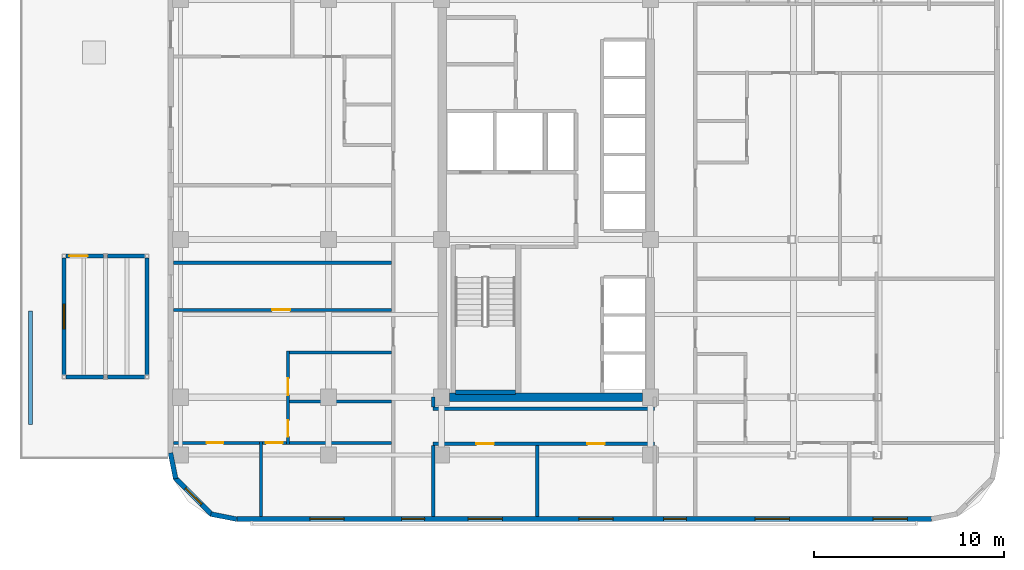
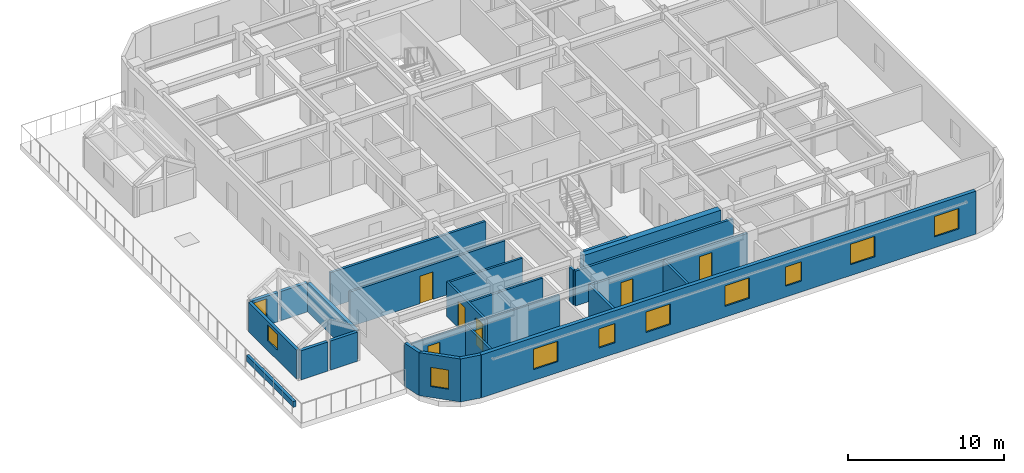
# One storey, part 10 of 19: 25 walls, 9 windows, 8 doors, 17 openings.
"""IFC4 building model written with IfcOpenShell, lengths in metres."""

from ifc_helpers import new_model, si_unit, direction, frame, frame_2d, origin, place, context, subcontext, project, spatial, rectangle, extrude, material, layer, layer_set, type_object, element, fill, save


model = new_model("IFC4")

# Units and contexts
model_context = context("Model", 3, precision=1e-05, world=origin(), true_north=direction((0.0, 1.0)))
body_context = subcontext(model_context, "Body", "Model", "MODEL_VIEW")
ifc_project = project(units=[si_unit("LENGTHUNIT", "METRE"), si_unit("AREAUNIT", "SQUARE_METRE"), si_unit("VOLUMEUNIT", "CUBIC_METRE"), si_unit("PLANEANGLEUNIT", "RADIAN"), si_unit("MASSUNIT", "GRAM", prefix="KILO")], contexts=[model_context])

# Site, building, storey
site_placement = place(None, origin())
site = spatial("IfcSite", under=ifc_project, at=site_placement, CompositionType="ELEMENT")
building_placement = place(site_placement, origin())
building = spatial("IfcBuilding", under=site, at=building_placement, Name="Ochreholt Gables", CompositionType="ELEMENT")
storey_placement = place(building_placement, frame((0.0, 0.0, 76.800048828125)))
storey = spatial("IfcBuildingStorey", under=building, at=storey_placement, Name="L19", CompositionType="ELEMENT", Elevation=76.800048828125)

# Wall
ifc_material_1 = material(Name="Concrete 60 MPa", Category="concrete")
ifc_layer_1 = layer(ifc_material_1, 0.449951171875, Name="Concrete 60 MPa")
ifc_layer_set_1 = layer_set([ifc_layer_1], Name="Concrete 60 MPa")
wall_type_1 = type_object("IfcWallType", Name="WALL-CSW-450", PredefinedType="SHEAR", material=ifc_layer_set_1)
wall_1_placement = place(storey_placement, frame((24.625, 9.25, 0.0), z_axis=(0.0, 0.0, 1.0), x_axis=(1.0, 0.0, 0.0)))
element("IfcWall", 1, at=wall_1_placement, inside=storey, type_object=wall_type_1, Name="L19 Core South Shear Wall", PredefinedType="SHEAR", context=body_context, shape_type="SweptSolid", body=[
    extrude(rectangle(XDim=10.14990234375, YDim=0.449951171875, at=frame_2d((5.074951171875, 0.0))), origin(), (0.0, 0.0, 1.0), 3.35986328125),
])

# Wall, openings, windows
ifc_material_2 = material(Name="Precast concrete 40 MPa", Category="concrete")
ifc_layer_2 = layer(ifc_material_2, 0.280029296875, Name="Precast concrete 40 MPa")
ifc_layer_set_2 = layer_set([ifc_layer_2], Name="Precast concrete 40 MPa")
wall_type_2 = type_object("IfcWallType", Name="WALL-EXT-280", PredefinedType="SOLIDWALL", material=ifc_layer_set_2)
wall_2_placement = place(storey_placement, frame((13.419921875, 2.840087890625, 0.0), z_axis=(0.0, 0.0, 1.0), x_axis=(1.0, 0.0, 0.0)))
wall_2 = element("IfcWall", 2, at=wall_2_placement, inside=storey, type_object=wall_type_2, Name="L19 South Exterior Wall", PredefinedType="SOLIDWALL", context=body_context, shape_type="SweptSolid", body=[
    extrude(rectangle(XDim=36.56005859375, YDim=0.280029296875, at=frame_2d((18.280029296875, 0.0))), origin(), (0.0, 0.0, 1.0), 3.35986328125),
])
opening_1_placement = place(wall_2_placement, frame((3.844970703125, 0.0, 0.85009765625)))
opening_1 = element("IfcOpeningElement", 3, at=opening_1_placement, cuts=wall_2, Name="Opening WN-1", PredefinedType="OPENING", context=body_context, shape_type="SweptSolid", body=[
    extrude(rectangle(XDim=1.800048828125, YDim=1.60009765625, at=frame_2d((0.89990234375, 0.800048828125))), frame((0.0, 0.14990234375, 0.0), z_axis=(0.0, -1.0, 0.0), x_axis=(1.0, 0.0, 0.0)), (0.0, 0.0, 1.0), 0.300048828125),
])
opening_2_placement = place(wall_2_placement, frame((8.679931640625, 0.0, 0.85009765625)))
opening_2 = element("IfcOpeningElement", 4, at=opening_2_placement, cuts=wall_2, Name="Opening WN-3", PredefinedType="OPENING", context=body_context, shape_type="SweptSolid", body=[
    extrude(rectangle(XDim=1.199951171875, YDim=1.5, at=frame_2d((0.60009765625, 0.75))), frame((0.0, 0.14990234375, 0.0), z_axis=(0.0, -1.0, 0.0), x_axis=(1.0, 0.0, 0.0)), (0.0, 0.0, 1.0), 0.300048828125),
])
opening_3_placement = place(wall_2_placement, frame((12.17236328125, 0.0, 0.85009765625)))
opening_3 = element("IfcOpeningElement", 5, at=opening_3_placement, cuts=wall_2, Name="Opening WN-1", PredefinedType="OPENING", context=body_context, shape_type="SweptSolid", body=[
    extrude(rectangle(XDim=1.800048828125, YDim=1.60009765625, at=frame_2d((0.89990234375, 0.800048828125))), frame((0.0, 0.14990234375, 0.0), z_axis=(0.0, -1.0, 0.0), x_axis=(1.0, 0.0, 0.0)), (0.0, 0.0, 1.0), 0.300048828125),
])
opening_4_placement = place(wall_2_placement, frame((18.007568359375, 0.0, 0.85009765625)))
opening_4 = element("IfcOpeningElement", 6, at=opening_4_placement, cuts=wall_2, Name="Opening WN-1", PredefinedType="OPENING", context=body_context, shape_type="SweptSolid", body=[
    extrude(rectangle(XDim=1.800048828125, YDim=1.60009765625, at=frame_2d((0.89990234375, 0.800048828125))), frame((0.0, 0.14990234375, 0.0), z_axis=(0.0, -1.0, 0.0), x_axis=(1.0, 0.0, 0.0)), (0.0, 0.0, 1.0), 0.300048828125),
])
opening_5_placement = place(wall_2_placement, frame((22.465087890625, 0.0, 0.85009765625)))
opening_5 = element("IfcOpeningElement", 7, at=opening_5_placement, cuts=wall_2, Name="Opening WN-3", PredefinedType="OPENING", context=body_context, shape_type="SweptSolid", body=[
    extrude(rectangle(XDim=1.199951171875, YDim=1.5, at=frame_2d((0.60009765625, 0.75))), frame((0.0, 0.14990234375, 0.0), z_axis=(0.0, -1.0, 0.0), x_axis=(1.0, 0.0, 0.0)), (0.0, 0.0, 1.0), 0.300048828125),
])
opening_6_placement = place(wall_2_placement, frame((27.28564453125, 0.0, 0.85009765625)))
opening_6 = element("IfcOpeningElement", 8, at=opening_6_placement, cuts=wall_2, Name="Opening WN-1", PredefinedType="OPENING", context=body_context, shape_type="SweptSolid", body=[
    extrude(rectangle(XDim=1.800048828125, YDim=1.60009765625, at=frame_2d((0.89990234375, 0.800048828125))), frame((0.0, 0.14990234375, 0.0), z_axis=(0.0, -1.0, 0.0), x_axis=(1.0, 0.0, 0.0)), (0.0, 0.0, 1.0), 0.300048828125),
])
opening_7_placement = place(wall_2_placement, frame((33.500732421875, 0.0, 0.85009765625)))
opening_7 = element("IfcOpeningElement", 9, at=opening_7_placement, cuts=wall_2, Name="Opening WN-1", PredefinedType="OPENING", context=body_context, shape_type="SweptSolid", body=[
    extrude(rectangle(XDim=1.800048828125, YDim=1.60009765625, at=frame_2d((0.89990234375, 0.800048828125))), frame((0.0, 0.14990234375, 0.0), z_axis=(0.0, -1.0, 0.0), x_axis=(1.0, 0.0, 0.0)), (0.0, 0.0, 1.0), 0.300048828125),
])
ifc_material_3 = material(Name="Triple-Glazed Thermally Broken Aluminium Window", Category="aluminium")
window_type_1 = type_object("IfcWindowType", Name="WIN-RES-1200", PartitioningType="SINGLE_PANEL", PredefinedType="WINDOW", material=ifc_material_3)
window_1_placement = place(opening_2_placement, origin())
window_1 = element("IfcWindow", 10, at=window_1_placement, inside=storey, type_object=window_type_1, Name="L19 Window W-EXT-S-L19-2", OverallHeight=1.5, OverallWidth=1.199951171875, PartitioningType="SINGLE_PANEL", PredefinedType="WINDOW", context=body_context, shape_type="SweptSolid", body=[
    extrude(rectangle(XDim=1.199951171875, YDim=1.5, at=frame_2d((0.60009765625, 0.75))), frame((0.0, 0.030029296875, 0.0), z_axis=(0.0, -1.0, 0.0), x_axis=(1.0, 0.0, 0.0)), (0.0, 0.0, 1.0), 0.06005859375),
])
fill(opening_2, window_1)
window_2_placement = place(opening_5_placement, origin())
window_2 = element("IfcWindow", 11, at=window_2_placement, inside=storey, type_object=window_type_1, Name="L19 Window W-EXT-S-L19-5", OverallHeight=1.5, OverallWidth=1.199951171875, PartitioningType="SINGLE_PANEL", PredefinedType="WINDOW", context=body_context, shape_type="SweptSolid", body=[
    extrude(rectangle(XDim=1.199951171875, YDim=1.5, at=frame_2d((0.60009765625, 0.75))), frame((0.0, 0.030029296875, 0.0), z_axis=(0.0, -1.0, 0.0), x_axis=(1.0, 0.0, 0.0)), (0.0, 0.0, 1.0), 0.06005859375),
])
fill(opening_5, window_2)
window_type_2 = type_object("IfcWindowType", Name="WIN-RES-1800", PartitioningType="SINGLE_PANEL", PredefinedType="WINDOW", material=ifc_material_3)
window_3_placement = place(opening_1_placement, origin())
window_3 = element("IfcWindow", 12, at=window_3_placement, inside=storey, type_object=window_type_2, Name="L19 Window W-EXT-S-L19-1", OverallHeight=1.60009765625, OverallWidth=1.800048828125, PartitioningType="SINGLE_PANEL", PredefinedType="WINDOW", context=body_context, shape_type="SweptSolid", body=[
    extrude(rectangle(XDim=1.800048828125, YDim=1.60009765625, at=frame_2d((0.89990234375, 0.800048828125))), frame((0.0, 0.030029296875, 0.0), z_axis=(0.0, -1.0, 0.0), x_axis=(1.0, 0.0, 0.0)), (0.0, 0.0, 1.0), 0.06005859375),
])
fill(opening_1, window_3)
window_4_placement = place(opening_3_placement, origin())
window_4 = element("IfcWindow", 13, at=window_4_placement, inside=storey, type_object=window_type_2, Name="L19 Window W-EXT-S-L19-3", OverallHeight=1.60009765625, OverallWidth=1.800048828125, PartitioningType="SINGLE_PANEL", PredefinedType="WINDOW", context=body_context, shape_type="SweptSolid", body=[
    extrude(rectangle(XDim=1.800048828125, YDim=1.60009765625, at=frame_2d((0.89990234375, 0.800048828125))), frame((0.0, 0.030029296875, 0.0), z_axis=(0.0, -1.0, 0.0), x_axis=(1.0, 0.0, 0.0)), (0.0, 0.0, 1.0), 0.06005859375),
])
fill(opening_3, window_4)
window_5_placement = place(opening_4_placement, origin())
window_5 = element("IfcWindow", 14, at=window_5_placement, inside=storey, type_object=window_type_2, Name="L19 Window W-EXT-S-L19-4", OverallHeight=1.60009765625, OverallWidth=1.800048828125, PartitioningType="SINGLE_PANEL", PredefinedType="WINDOW", context=body_context, shape_type="SweptSolid", body=[
    extrude(rectangle(XDim=1.800048828125, YDim=1.60009765625, at=frame_2d((0.89990234375, 0.800048828125))), frame((0.0, 0.030029296875, 0.0), z_axis=(0.0, -1.0, 0.0), x_axis=(1.0, 0.0, 0.0)), (0.0, 0.0, 1.0), 0.06005859375),
])
fill(opening_4, window_5)
window_6_placement = place(opening_6_placement, origin())
window_6 = element("IfcWindow", 15, at=window_6_placement, inside=storey, type_object=window_type_2, Name="L19 Window W-EXT-S-L19-6", OverallHeight=1.60009765625, OverallWidth=1.800048828125, PartitioningType="SINGLE_PANEL", PredefinedType="WINDOW", context=body_context, shape_type="SweptSolid", body=[
    extrude(rectangle(XDim=1.800048828125, YDim=1.60009765625, at=frame_2d((0.89990234375, 0.800048828125))), frame((0.0, 0.030029296875, 0.0), z_axis=(0.0, -1.0, 0.0), x_axis=(1.0, 0.0, 0.0)), (0.0, 0.0, 1.0), 0.06005859375),
])
fill(opening_6, window_6)
window_7_placement = place(opening_7_placement, origin())
window_7 = element("IfcWindow", 16, at=window_7_placement, inside=storey, type_object=window_type_2, Name="L19 Window W-EXT-S-L19-7", OverallHeight=1.60009765625, OverallWidth=1.800048828125, PartitioningType="SINGLE_PANEL", PredefinedType="WINDOW", context=body_context, shape_type="SweptSolid", body=[
    extrude(rectangle(XDim=1.800048828125, YDim=1.60009765625, at=frame_2d((0.89990234375, 0.800048828125))), frame((0.0, 0.030029296875, 0.0), z_axis=(0.0, -1.0, 0.0), x_axis=(1.0, 0.0, 0.0)), (0.0, 0.0, 1.0), 0.06005859375),
])
fill(opening_7, window_7)

# Wall
ifc_layer_3 = layer(ifc_material_2, 0.25, Name="Precast concrete 40 MPa")
ifc_layer_set_3 = layer_set([ifc_layer_3], Name="Precast concrete 40 MPa")
wall_type_3 = type_object("IfcWallType", Name="WALL-EXT-CNR", PredefinedType="SOLIDWALL", material=ifc_layer_set_3)
wall_3_placement = place(storey_placement, frame((9.92431640625, 6.31640625, 0.0), z_axis=(0.0, 0.0, 1.0), x_axis=(0.195000137217, -0.980803214965, 0.0)))
element("IfcWall", 17, at=wall_3_placement, inside=storey, type_object=wall_type_3, Name="L19 Rounded Corner Wall SW-1", PredefinedType="SOLIDWALL", context=body_context, shape_type="SweptSolid", body=[
    extrude(rectangle(XDim=1.388427734375, YDim=0.25, at=frame_2d((0.6943359375, 0.0))), origin(), (0.0, 0.0, 1.0), 3.35986328125),
])

# Wall, opening, window
wall_4_placement = place(storey_placement, frame((10.16796875, 5.0048828125, 0.0), z_axis=(0.0, 0.0, 1.0), x_axis=(0.707151344399, -0.707062215165, 0.0)))
wall_4 = element("IfcWall", 18, at=wall_4_placement, inside=storey, type_object=wall_type_3, Name="L19 Rounded Corner Wall SW-2", PredefinedType="SOLIDWALL", context=body_context, shape_type="SweptSolid", body=[
    extrude(rectangle(XDim=2.7392578125, YDim=0.25, at=frame_2d((1.36962890625, 0.0))), origin(), (0.0, 0.0, 1.0), 3.35986328125),
])
opening_8_placement = place(wall_4_placement, frame((0.769775390625, 0.0, 0.85009765625)))
opening_8 = element("IfcOpeningElement", 19, at=opening_8_placement, cuts=wall_4, Name="Opening WN-3", PredefinedType="OPENING", context=body_context, shape_type="SweptSolid", body=[
    extrude(rectangle(XDim=1.199951171875, YDim=1.5, at=frame_2d((0.60009765625, 0.75))), frame((0.0, 0.135009765625, 0.0), z_axis=(0.0, -1.0, 0.0), x_axis=(1.0, 0.0, 0.0)), (0.0, 0.0, 1.0), 0.27001953125),
])
window_8_placement = place(opening_8_placement, origin())
window_8 = element("IfcWindow", 20, at=window_8_placement, inside=storey, type_object=window_type_1, Name="L19 Corner Bedroom Window SW", OverallHeight=1.5, OverallWidth=1.199951171875, PartitioningType="SINGLE_PANEL", PredefinedType="WINDOW", context=body_context, shape_type="SweptSolid", body=[
    extrude(rectangle(XDim=1.199951171875, YDim=1.5, at=frame_2d((0.60009765625, 0.75))), frame((0.0, 0.030029296875, 0.0), z_axis=(0.0, -1.0, 0.0), x_axis=(1.0, 0.0, 0.0)), (0.0, 0.0, 1.0), 0.06005859375),
])
fill(opening_8, window_8)

# Walls
wall_5_placement = place(storey_placement, frame((12.054443359375, 3.094970703125, 0.0), z_axis=(0.0, 0.0, 1.0), x_axis=(0.980809899341, -0.19496651342, 0.0)))
element("IfcWall", 21, at=wall_5_placement, inside=storey, type_object=wall_type_3, Name="L19 Rounded Corner Wall SW-3", PredefinedType="SOLIDWALL", context=body_context, shape_type="SweptSolid", body=[
    extrude(rectangle(XDim=1.388671875, YDim=0.25, at=frame_2d((0.6943359375, 0.0))), origin(), (0.0, 0.0, 1.0), 3.35986328125),
])
ifc_layer_4 = layer(ifc_material_2, 0.22998046875, Name="Precast concrete 40 MPa")
ifc_layer_set_4 = layer_set([ifc_layer_4], Name="Precast concrete 40 MPa")
wall_type_4 = type_object("IfcWallType", Name="WALL-EXT-GAB", PredefinedType="SOLIDWALL", material=ifc_layer_set_4)
for number, where, z_axis, x_axis, name in (
    (22, (4.422119140625, 10.31494140625, 0.0), (0.0, 0.0, 1.0), (1.0, 0.0, 0.0), "L19 Gable End Wall GB-19W1-S1"),
    (23, (6.60205078125, 10.31494140625, 0.0), (0.0, 0.0, 1.0), (1.0, 0.0, 0.0), "L19 Gable End Wall GB-19W1-S2"),
):
    element("IfcWall", number, at=place(storey_placement, frame(where, z_axis=z_axis, x_axis=x_axis)), inside=storey, type_object=wall_type_4, Name=name, PredefinedType="SOLIDWALL", context=body_context, shape_type="SweptSolid", body=[
        extrude(rectangle(XDim=1.975830078125, YDim=0.22998046875, at=frame_2d((0.98779296875, 0.0))), origin(), (0.0, 0.0, 1.0), 2.28125),
    ])

# Wall, opening, door
wall_6_placement = place(storey_placement, frame((4.422119140625, 16.68505859375, 0.0), z_axis=(0.0, 0.0, 1.0), x_axis=(1.0, 0.0, 0.0)))
wall_6 = element("IfcWall", 24, at=wall_6_placement, inside=storey, type_object=wall_type_4, Name="L19 Gable End Wall GB-19W1-N1", PredefinedType="SOLIDWALL", context=body_context, shape_type="SweptSolid", body=[
    extrude(rectangle(XDim=1.975830078125, YDim=0.22998046875, at=frame_2d((0.98779296875, 0.0))), origin(), (0.0, 0.0, 1.0), 2.28125),
])
opening_9_placement = place(wall_6_placement, frame((0.179931640625, 0.0, 0.0)))
opening_9 = element("IfcOpeningElement", 25, at=opening_9_placement, cuts=wall_6, Name="Opening D-GB1", PredefinedType="OPENING", context=body_context, shape_type="SweptSolid", body=[
    extrude(rectangle(XDim=0.9599609375, YDim=2.080078125, at=frame_2d((0.47998046875, 1.0400390625))), frame((0.0, 0.125, 0.0), z_axis=(0.0, -1.0, 0.0), x_axis=(1.0, 0.0, 0.0)), (0.0, 0.0, 1.0), 0.25),
])
ifc_material_4 = material(Name="Thermally Broken Insulated Steel and Glass Door", Category="steel")
door_type_1 = type_object("IfcDoorType", Name="DR-EXT-GAB960", OperationType="NOTDEFINED", PredefinedType="DOOR", material=ifc_material_4)
door_1_placement = place(opening_9_placement, origin())
door_1 = element("IfcDoor", 26, at=door_1_placement, inside=storey, type_object=door_type_1, Name="L19 Gable Pavilion Door GB-19W1", OperationType="SINGLE_SWING_LEFT", OverallHeight=2.080078125, OverallWidth=0.9599609375, PredefinedType="DOOR", context=body_context, shape_type="SweptSolid", body=[
    extrude(rectangle(XDim=0.9599609375, YDim=2.080078125, at=frame_2d((0.47998046875, 1.0400390625))), frame((0.0, 0.02490234375, 0.0), z_axis=(0.0, -1.0, 0.0), x_axis=(1.0, 0.0, 0.0)), (0.0, 0.0, 1.0), 0.050048828125),
])
fill(opening_9, door_1)

# Wall
wall_7_placement = place(storey_placement, frame((6.60205078125, 16.68505859375, 0.0), z_axis=(0.0, 0.0, 1.0), x_axis=(1.0, 0.0, 0.0)))
element("IfcWall", 27, at=wall_7_placement, inside=storey, type_object=wall_type_4, Name="L19 Gable End Wall GB-19W1-N2", PredefinedType="SOLIDWALL", context=body_context, shape_type="SweptSolid", body=[
    extrude(rectangle(XDim=1.975830078125, YDim=0.22998046875, at=frame_2d((0.98779296875, 0.0))), origin(), (0.0, 0.0, 1.0), 2.28125),
])

# Wall, opening, window
wall_8_placement = place(storey_placement, frame((4.31494140625, 10.422119140625, 0.0), z_axis=(0.0, 0.0, 1.0), x_axis=(0.0, 1.0, 0.0)))
wall_8 = element("IfcWall", 28, at=wall_8_placement, inside=storey, type_object=wall_type_4, Name="L19 Gable Eave Wall GB-19W1-W", PredefinedType="SOLIDWALL", context=body_context, shape_type="SweptSolid", body=[
    extrude(rectangle(XDim=6.15576171875, YDim=0.22998046875, at=frame_2d((3.077880859375, 0.0))), origin(), (0.0, 0.0, 1.0), 2.28125),
])
opening_10_placement = place(wall_8_placement, frame((2.427978515625, 0.0, 0.780029296875)))
opening_10 = element("IfcOpeningElement", 29, at=opening_10_placement, cuts=wall_8, Name="Opening WN-6", PredefinedType="OPENING", context=body_context, shape_type="SweptSolid", body=[
    extrude(rectangle(XDim=1.300048828125, YDim=1.25, at=frame_2d((0.64990234375, 0.625))), frame((0.0, 0.125, 0.0), z_axis=(0.0, -1.0, 0.0), x_axis=(1.0, 0.0, 0.0)), (0.0, 0.0, 1.0), 0.25),
])
window_type_3 = type_object("IfcWindowType", Name="WIN-GAB-1300", PartitioningType="SINGLE_PANEL", PredefinedType="WINDOW", material=ifc_material_3)
window_9_placement = place(opening_10_placement, origin())
window_9 = element("IfcWindow", 30, at=window_9_placement, inside=storey, type_object=window_type_3, Name="L19 Gable Pavilion Window GB-19W1", OverallHeight=1.25, OverallWidth=1.300048828125, PartitioningType="SINGLE_PANEL", PredefinedType="WINDOW", context=body_context, shape_type="SweptSolid", body=[
    extrude(rectangle(XDim=1.300048828125, YDim=1.25, at=frame_2d((0.64990234375, 0.625))), frame((0.0, 0.030029296875, 0.0), z_axis=(0.0, -1.0, 0.0), x_axis=(1.0, 0.0, 0.0)), (0.0, 0.0, 1.0), 0.06005859375),
])
fill(opening_10, window_9)

# Wall
wall_9_placement = place(storey_placement, frame((8.68505859375, 10.422119140625, 0.0), z_axis=(0.0, 0.0, 1.0), x_axis=(0.0, 1.0, 0.0)))
element("IfcWall", 31, at=wall_9_placement, inside=storey, type_object=wall_type_4, Name="L19 Gable Eave Wall GB-19W1-E", PredefinedType="SOLIDWALL", context=body_context, shape_type="SweptSolid", body=[
    extrude(rectangle(XDim=6.15576171875, YDim=0.22998046875, at=frame_2d((3.077880859375, 0.0))), origin(), (0.0, 0.0, 1.0), 2.28125),
])

# Wall, openings, doors
ifc_material_5 = material(Name="Fire-Rated Gypsum Acoustic Partition", Category="gypsum")
ifc_layer_5 = layer(ifc_material_5, 0.179931640625, Name="Fire-Rated Gypsum Acoustic Partition")
ifc_layer_set_5 = layer_set([ifc_layer_5], Name="Fire-Rated Gypsum Acoustic Partition")
wall_type_5 = type_object("IfcWallType", Name="WALL-INT-CR180", PredefinedType="STANDARD", material=ifc_layer_set_5)
wall_10_placement = place(storey_placement, frame((23.75, 6.800048828125, 0.0), z_axis=(0.0, 0.0, 1.0), x_axis=(1.0, 0.0, 0.0)))
wall_10 = element("IfcWall", 32, at=wall_10_placement, inside=storey, type_object=wall_type_5, Name="L19 Interior Wall WI-C1S-L19", PredefinedType="STANDARD", context=body_context, shape_type="SweptSolid", body=[
    extrude(rectangle(XDim=11.669921875, YDim=0.179931640625, at=frame_2d((5.8349609375, 0.0))), origin(), (0.0, 0.0, 1.0), 2.73095703125),
])
opening_11_placement = place(wall_10_placement, frame((2.282470703125, 0.0, 0.0)))
opening_11 = element("IfcOpeningElement", 33, at=opening_11_placement, cuts=wall_10, Name="Opening D-UN1", PredefinedType="OPENING", context=body_context, shape_type="SweptSolid", body=[
    extrude(rectangle(XDim=0.919921875, YDim=2.14990234375, at=frame_2d((0.4599609375, 1.074951171875))), frame((0.0, 0.099853515625, 0.0), z_axis=(0.0, -1.0, 0.0), x_axis=(1.0, 0.0, 0.0)), (0.0, 0.0, 1.0), 0.199951171875),
])
opening_12_placement = place(wall_10_placement, frame((8.117431640625, 0.0, 0.0)))
opening_12 = element("IfcOpeningElement", 34, at=opening_12_placement, cuts=wall_10, Name="Opening D-UN1", PredefinedType="OPENING", context=body_context, shape_type="SweptSolid", body=[
    extrude(rectangle(XDim=0.919921875, YDim=2.14990234375, at=frame_2d((0.4599609375, 1.074951171875))), frame((0.0, 0.099853515625, 0.0), z_axis=(0.0, -1.0, 0.0), x_axis=(1.0, 0.0, 0.0)), (0.0, 0.0, 1.0), 0.199951171875),
])
ifc_material_6 = material(Name="Engineered Oak Timber", Category="wood")
door_type_2 = type_object("IfcDoorType", Name="DR-INT-UNT920", OperationType="NOTDEFINED", PredefinedType="DOOR", material=ifc_material_6)
door_2_placement = place(opening_11_placement, origin())
door_2 = element("IfcDoor", 35, at=door_2_placement, inside=storey, type_object=door_type_2, Name="L19 Door D-U-L19S1-ENT", OperationType="SINGLE_SWING_LEFT", OverallHeight=2.14990234375, OverallWidth=0.919921875, PredefinedType="DOOR", context=body_context, shape_type="SweptSolid", body=[
    extrude(rectangle(XDim=0.919921875, YDim=2.14990234375, at=frame_2d((0.4599609375, 1.074951171875))), frame((0.0, 0.02490234375, 0.0), z_axis=(0.0, -1.0, 0.0), x_axis=(1.0, 0.0, 0.0)), (0.0, 0.0, 1.0), 0.050048828125),
])
fill(opening_11, door_2)
door_3_placement = place(opening_12_placement, origin())
door_3 = element("IfcDoor", 36, at=door_3_placement, inside=storey, type_object=door_type_2, Name="L19 Door D-U-L19S2-ENT", OperationType="SINGLE_SWING_LEFT", OverallHeight=2.14990234375, OverallWidth=0.919921875, PredefinedType="DOOR", context=body_context, shape_type="SweptSolid", body=[
    extrude(rectangle(XDim=0.919921875, YDim=2.14990234375, at=frame_2d((0.4599609375, 1.074951171875))), frame((0.0, 0.02490234375, 0.0), z_axis=(0.0, -1.0, 0.0), x_axis=(1.0, 0.0, 0.0)), (0.0, 0.0, 1.0), 0.050048828125),
])
fill(opening_12, door_3)

# Walls
wall_11_placement = place(storey_placement, frame((23.75, 8.64990234375, 0.0), z_axis=(0.0, 0.0, 1.0), x_axis=(1.0, 0.0, 0.0)))
element("IfcWall", 37, at=wall_11_placement, inside=storey, type_object=wall_type_5, Name="L19 Interior Wall WI-C1S2-L19", PredefinedType="STANDARD", context=body_context, shape_type="SweptSolid", body=[
    extrude(rectangle(XDim=11.669921875, YDim=0.179931640625, at=frame_2d((5.8349609375, 0.0))), origin(), (0.0, 0.0, 1.0), 2.73095703125),
])
wall_12_placement = place(storey_placement, frame((23.75, 8.739990234375, 0.0), z_axis=(0.0, 0.0, 1.0), x_axis=(0.0, 1.0, 0.0)))
element("IfcWall", 38, at=wall_12_placement, inside=storey, type_object=wall_type_5, Name="L19 Interior Wall WI-C1SWA2-L19", PredefinedType="STANDARD", context=body_context, shape_type="SweptSolid", body=[
    extrude(rectangle(XDim=0.510009765625, YDim=0.179931640625, at=frame_2d((0.2548828125, 0.0))), origin(), (0.0, 0.0, 1.0), 2.73095703125),
])
ifc_material_7 = material(Name="Double-Stud Acoustic Demising Wall", Category="gypsum")
ifc_layer_6 = layer(ifc_material_7, 0.179931640625, Name="Double-Stud Acoustic Demising Wall")
ifc_layer_set_6 = layer_set([ifc_layer_6], Name="Double-Stud Acoustic Demising Wall")
wall_type_6 = type_object("IfcWallType", Name="WALL-INT-DM180", PredefinedType="PARTITIONING", material=ifc_layer_set_6)
wall_13_placement = place(storey_placement, frame((10.080078125, 16.33203125, 0.0), z_axis=(0.0, 0.0, 1.0), x_axis=(1.0, 0.0, 0.0)))
element("IfcWall", 39, at=wall_13_placement, inside=storey, type_object=wall_type_6, Name="L19 Interior Wall WI-UDW2-L19", PredefinedType="PARTITIONING", context=body_context, shape_type="SweptSolid", body=[
    extrude(rectangle(XDim=11.47998046875, YDim=0.179931640625, at=frame_2d((5.739990234375, 0.0))), origin(), (0.0, 0.0, 1.0), 2.73095703125),
])
for number, where, z_axis, x_axis, name in (
    (40, (23.75, 2.97998046875, 0.0), (0.0, 0.0, 1.0), (0.0, 1.0, 0.0), "L19 Interior Wall WI-C1SWA-L19"),
    (41, (29.23486328125, 2.97998046875, 0.0), (0.0, 0.0, 1.0), (0.0, 1.0, 0.0), "L19 Interior Wall WI-UDS-L19"),
):
    element("IfcWall", number, at=place(storey_placement, frame(where, z_axis=z_axis, x_axis=x_axis)), inside=storey, type_object=wall_type_6, Name=name, PredefinedType="PARTITIONING", context=body_context, shape_type="SweptSolid", body=[
        extrude(rectangle(XDim=3.72998046875, YDim=0.179931640625, at=frame_2d((1.864990234375, 0.0))), origin(), (0.0, 0.0, 1.0), 2.808837890625),
    ])
ifc_material_8 = material(Name="Moisture-Resistant Plumbing Chase Wall", Category="gypsum")
ifc_layer_7 = layer(ifc_material_8, 0.159912109375, Name="Moisture-Resistant Plumbing Chase Wall")
ifc_layer_set_7 = layer_set([ifc_layer_7], Name="Moisture-Resistant Plumbing Chase Wall")
wall_type_7 = type_object("IfcWallType", Name="WALL-INT-PL160", PredefinedType="PLUMBINGWALL", material=ifc_layer_set_7)
wall_14_placement = place(storey_placement, frame((16.030029296875, 11.60400390625, 0.0), z_axis=(0.0, 0.0, 1.0), x_axis=(1.0, 0.0, 0.0)))
element("IfcWall", 42, at=wall_14_placement, inside=storey, type_object=wall_type_7, Name="L19 Interior Wall WU-L19W1-FYN", PredefinedType="PLUMBINGWALL", context=body_context, shape_type="SweptSolid", body=[
    extrude(rectangle(XDim=5.530029296875, YDim=0.159912109375, at=frame_2d((2.76513671875, 0.0))), origin(), (0.0, 0.0, 1.0), 2.73095703125),
])

# Wall, openings, doors
wall_15_placement = place(storey_placement, frame((16.110107421875, 6.75, 0.0), z_axis=(0.0, 0.0, 1.0), x_axis=(0.0, 1.0, 0.0)))
wall_15 = element("IfcWall", 43, at=wall_15_placement, inside=storey, type_object=wall_type_7, Name="L19 Interior Wall WU-L19W1-WX", PredefinedType="PLUMBINGWALL", context=body_context, shape_type="SweptSolid", body=[
    extrude(rectangle(XDim=4.944091796875, YDim=0.159912109375, at=frame_2d((2.47216796875, 0.0))), origin(), (0.0, 0.0, 1.0), 2.73095703125),
])
opening_13_placement = place(wall_15_placement, frame((0.419921875, 0.0, 0.0)))
opening_13 = element("IfcOpeningElement", 44, at=opening_13_placement, cuts=wall_15, Name="Opening D-BT1", PredefinedType="OPENING", context=body_context, shape_type="SweptSolid", body=[
    extrude(rectangle(XDim=0.860107421875, YDim=2.1201171875, at=frame_2d((0.43017578125, 1.06005859375))), frame((0.0, 0.08984375, 0.0), z_axis=(0.0, -1.0, 0.0), x_axis=(1.0, 0.0, 0.0)), (0.0, 0.0, 1.0), 0.179931640625),
])
opening_14_placement = place(wall_15_placement, frame((2.611328125, 0.0, 0.0)))
opening_14 = element("IfcOpeningElement", 45, at=opening_14_placement, cuts=wall_15, Name="Opening D-GN2", PredefinedType="OPENING", context=body_context, shape_type="SweptSolid", body=[
    extrude(rectangle(XDim=0.8798828125, YDim=2.1201171875, at=frame_2d((0.43994140625, 1.06005859375))), frame((0.0, 0.08984375, 0.0), z_axis=(0.0, -1.0, 0.0), x_axis=(1.0, 0.0, 0.0)), (0.0, 0.0, 1.0), 0.179931640625),
])
door_type_3 = type_object("IfcDoorType", Name="DR-INT-BTH860", OperationType="NOTDEFINED", PredefinedType="DOOR", material=ifc_material_6)
door_4_placement = place(opening_13_placement, origin())
door_4 = element("IfcDoor", 46, at=door_4_placement, inside=storey, type_object=door_type_3, Name="L19 Door D-U-L19W1-BTH", OperationType="SINGLE_SWING_RIGHT", OverallHeight=2.1201171875, OverallWidth=0.860107421875, PredefinedType="DOOR", context=body_context, shape_type="SweptSolid", body=[
    extrude(rectangle(XDim=0.860107421875, YDim=2.1201171875, at=frame_2d((0.43017578125, 1.06005859375))), frame((0.0, 0.02490234375, 0.0), z_axis=(0.0, -1.0, 0.0), x_axis=(1.0, 0.0, 0.0)), (0.0, 0.0, 1.0), 0.050048828125),
])
fill(opening_13, door_4)
door_type_4 = type_object("IfcDoorType", Name="DR-INT-GEN880", OperationType="NOTDEFINED", PredefinedType="DOOR", material=ifc_material_6)
door_5_placement = place(opening_14_placement, origin())
door_5 = element("IfcDoor", 47, at=door_5_placement, inside=storey, type_object=door_type_4, Name="L19 Door D-U-L19W1-KIT", OperationType="SINGLE_SWING_LEFT", OverallHeight=2.1201171875, OverallWidth=0.8798828125, PredefinedType="DOOR", context=body_context, shape_type="SweptSolid", body=[
    extrude(rectangle(XDim=0.8798828125, YDim=2.1201171875, at=frame_2d((0.43994140625, 1.06005859375))), frame((0.0, 0.02490234375, 0.0), z_axis=(0.0, -1.0, 0.0), x_axis=(1.0, 0.0, 0.0)), (0.0, 0.0, 1.0), 0.050048828125),
])
fill(opening_14, door_5)

# Wall
wall_16_placement = place(storey_placement, frame((16.18994140625, 9.031494140625, 0.0), z_axis=(0.0, 0.0, 1.0), x_axis=(1.0, 0.0, 0.0)))
element("IfcWall", 48, at=wall_16_placement, inside=storey, type_object=wall_type_7, Name="L19 Interior Wall WU-L19W1-WK", PredefinedType="PLUMBINGWALL", context=body_context, shape_type="SweptSolid", body=[
    extrude(rectangle(XDim=5.3701171875, YDim=0.159912109375, at=frame_2d((2.68505859375, 0.0))), origin(), (0.0, 0.0, 1.0), 2.73095703125),
])

# Wall, openings, doors
ifc_material_9 = material(Name="Gypsum Acoustic Stud Partition", Category="gypsum")
ifc_layer_8 = layer(ifc_material_9, 0.159912109375, Name="Gypsum Acoustic Stud Partition")
ifc_layer_set_8 = layer_set([ifc_layer_8], Name="Gypsum Acoustic Stud Partition")
wall_type_8 = type_object("IfcWallType", Name="WALL-INT-PT160", PredefinedType="PARTITIONING", material=ifc_layer_set_8)
wall_17_placement = place(storey_placement, frame((10.080078125, 6.840087890625, 0.0), z_axis=(0.0, 0.0, 1.0), x_axis=(1.0, 0.0, 0.0)))
wall_17 = element("IfcWall", 49, at=wall_17_placement, inside=storey, type_object=wall_type_8, Name="L19 Interior Wall WU-L19W1-MN", PredefinedType="PARTITIONING", context=body_context, shape_type="SweptSolid", body=[
    extrude(rectangle(XDim=11.47998046875, YDim=0.159912109375, at=frame_2d((5.739990234375, 0.0))), origin(), (0.0, 0.0, 1.0), 2.73095703125),
])
opening_15_placement = place(wall_17_placement, frame((1.75, 0.0, 0.0)))
opening_15 = element("IfcOpeningElement", 50, at=opening_15_placement, cuts=wall_17, Name="Opening D-BD2", PredefinedType="OPENING", context=body_context, shape_type="SweptSolid", body=[
    extrude(rectangle(XDim=0.8798828125, YDim=2.139892578125, at=frame_2d((0.43994140625, 1.06982421875))), frame((0.0, 0.08984375, 0.0), z_axis=(0.0, -1.0, 0.0), x_axis=(1.0, 0.0, 0.0)), (0.0, 0.0, 1.0), 0.179931640625),
])
opening_16_placement = place(wall_17_placement, frame((4.8701171875, 0.0, 0.0)))
opening_16 = element("IfcOpeningElement", 51, at=opening_16_placement, cuts=wall_17, Name="Opening D-BD2", PredefinedType="OPENING", context=body_context, shape_type="SweptSolid", body=[
    extrude(rectangle(XDim=0.8798828125, YDim=2.139892578125, at=frame_2d((0.43994140625, 1.06982421875))), frame((0.0, 0.08984375, 0.0), z_axis=(0.0, -1.0, 0.0), x_axis=(1.0, 0.0, 0.0)), (0.0, 0.0, 1.0), 0.179931640625),
])
door_type_5 = type_object("IfcDoorType", Name="DR-INT-BED880", OperationType="NOTDEFINED", PredefinedType="DOOR", material=ifc_material_6)
door_6_placement = place(opening_15_placement, origin())
door_6 = element("IfcDoor", 52, at=door_6_placement, inside=storey, type_object=door_type_5, Name="L19 Door D-U-L19W1-BD1", OperationType="SINGLE_SWING_LEFT", OverallHeight=2.139892578125, OverallWidth=0.8798828125, PredefinedType="DOOR", context=body_context, shape_type="SweptSolid", body=[
    extrude(rectangle(XDim=0.8798828125, YDim=2.139892578125, at=frame_2d((0.43994140625, 1.06982421875))), frame((0.0, 0.02490234375, 0.0), z_axis=(0.0, -1.0, 0.0), x_axis=(1.0, 0.0, 0.0)), (0.0, 0.0, 1.0), 0.050048828125),
])
fill(opening_15, door_6)
door_7_placement = place(opening_16_placement, origin())
door_7 = element("IfcDoor", 53, at=door_7_placement, inside=storey, type_object=door_type_5, Name="L19 Door D-U-L19W1-BD2", OperationType="SINGLE_SWING_RIGHT", OverallHeight=2.139892578125, OverallWidth=0.8798828125, PredefinedType="DOOR", context=body_context, shape_type="SweptSolid", body=[
    extrude(rectangle(XDim=0.8798828125, YDim=2.139892578125, at=frame_2d((0.43994140625, 1.06982421875))), frame((0.0, 0.02490234375, 0.0), z_axis=(0.0, -1.0, 0.0), x_axis=(1.0, 0.0, 0.0)), (0.0, 0.0, 1.0), 0.050048828125),
])
fill(opening_16, door_7)

# Wall, opening, door
wall_18_placement = place(storey_placement, frame((10.080078125, 13.842041015625, 0.0), z_axis=(0.0, 0.0, 1.0), x_axis=(1.0, 0.0, 0.0)))
wall_18 = element("IfcWall", 54, at=wall_18_placement, inside=storey, type_object=wall_type_8, Name="L19 Interior Wall WU-L19W1-DNW", PredefinedType="PARTITIONING", context=body_context, shape_type="SweptSolid", body=[
    extrude(rectangle(XDim=11.47998046875, YDim=0.159912109375, at=frame_2d((5.739990234375, 0.0))), origin(), (0.0, 0.0, 1.0), 2.73095703125),
])
opening_17_placement = place(wall_18_placement, frame((5.195068359375, 0.0, 0.0)))
opening_17 = element("IfcOpeningElement", 55, at=opening_17_placement, cuts=wall_18, Name="Opening D-GN1", PredefinedType="OPENING", context=body_context, shape_type="SweptSolid", body=[
    extrude(rectangle(XDim=0.949951171875, YDim=2.14990234375, at=frame_2d((0.47509765625, 1.074951171875))), frame((0.0, 0.08984375, 0.0), z_axis=(0.0, -1.0, 0.0), x_axis=(1.0, 0.0, 0.0)), (0.0, 0.0, 1.0), 0.179931640625),
])
door_type_6 = type_object("IfcDoorType", Name="DR-INT-GEN950", OperationType="NOTDEFINED", PredefinedType="DOOR", material=ifc_material_6)
door_8_placement = place(opening_17_placement, origin())
door_8 = element("IfcDoor", 56, at=door_8_placement, inside=storey, type_object=door_type_6, Name="L19 Door D-U-L19W1-DIN", OperationType="SINGLE_SWING_RIGHT", OverallHeight=2.14990234375, OverallWidth=0.949951171875, PredefinedType="DOOR", context=body_context, shape_type="SweptSolid", body=[
    extrude(rectangle(XDim=0.949951171875, YDim=2.14990234375, at=frame_2d((0.47509765625, 1.074951171875))), frame((0.0, 0.02490234375, 0.0), z_axis=(0.0, -1.0, 0.0), x_axis=(1.0, 0.0, 0.0)), (0.0, 0.0, 1.0), 0.050048828125),
])
fill(opening_17, door_8)

# Walls
wall_19_placement = place(storey_placement, frame((14.679931640625, 2.97998046875, 0.0), z_axis=(0.0, 0.0, 1.0), x_axis=(0.0, 1.0, 0.0)))
element("IfcWall", 57, at=wall_19_placement, inside=storey, type_object=wall_type_8, Name="L19 Interior Wall WU-L19W1-BSD", PredefinedType="PARTITIONING", context=body_context, shape_type="SweptSolid", body=[
    extrude(rectangle(XDim=3.93994140625, YDim=0.159912109375, at=frame_2d((1.969970703125, 0.0))), origin(), (0.0, 0.0, 1.0), 2.808837890625),
])
ifc_layer_9 = layer(ifc_material_2, 0.2099609375, Name="Precast concrete 40 MPa")
ifc_layer_set_9 = layer_set([ifc_layer_9], Name="Precast concrete 40 MPa")
wall_type_9 = type_object("IfcWallType", Name="WALL-PRP-210", PredefinedType="PARAPET", material=ifc_layer_set_9)
wall_20_placement = place(storey_placement, frame((2.550048828125, 7.800048828125, 0.0), z_axis=(0.0, 0.0, 1.0), x_axis=(0.0, 1.0, 0.0)))
element("IfcWall", 58, at=wall_20_placement, inside=storey, type_object=wall_type_9, Name="L19 Planted Garden Terrace Planter TR-L19-W", PredefinedType="PARAPET", context=body_context, shape_type="SweptSolid", body=[
    extrude(rectangle(XDim=6.0, YDim=0.2099609375, at=frame_2d((3.0, 0.0))), origin(), (0.0, 0.0, 1.0), 0.449951171875),
])
ifc_material_10 = material(Name="Concrete 50 MPa", Category="concrete")
ifc_layer_10 = layer(ifc_material_10, 0.219970703125, Name="Concrete 50 MPa")
ifc_layer_set_10 = layer_set([ifc_layer_10], Name="Concrete 50 MPa")
wall_type_10 = type_object("IfcWallType", Name="WALL-STW-220", PredefinedType="SHEAR", material=ifc_layer_set_10)
wall_21_placement = place(storey_placement, frame((24.919921875, 9.510009765625, 0.0), z_axis=(0.0, 0.0, 1.0), x_axis=(1.0, 0.0, 0.0)))
element("IfcWall", 59, at=wall_21_placement, inside=storey, type_object=wall_type_10, Name="L19 Exit Stair 1 South Wall", PredefinedType="SHEAR", context=body_context, shape_type="SweptSolid", body=[
    extrude(rectangle(XDim=3.16015625, YDim=0.219970703125, at=frame_2d((1.580078125, 0.0))), origin(), (0.0, 0.0, 1.0), 3.35986328125),
])

save(model, "model.ifc")
